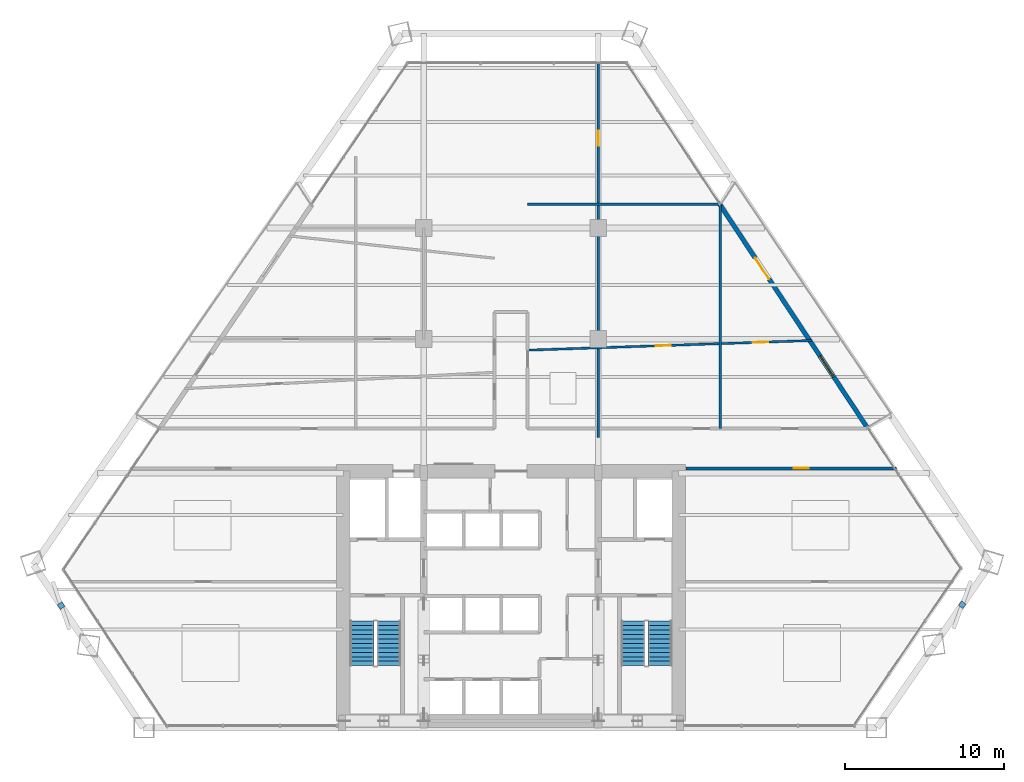
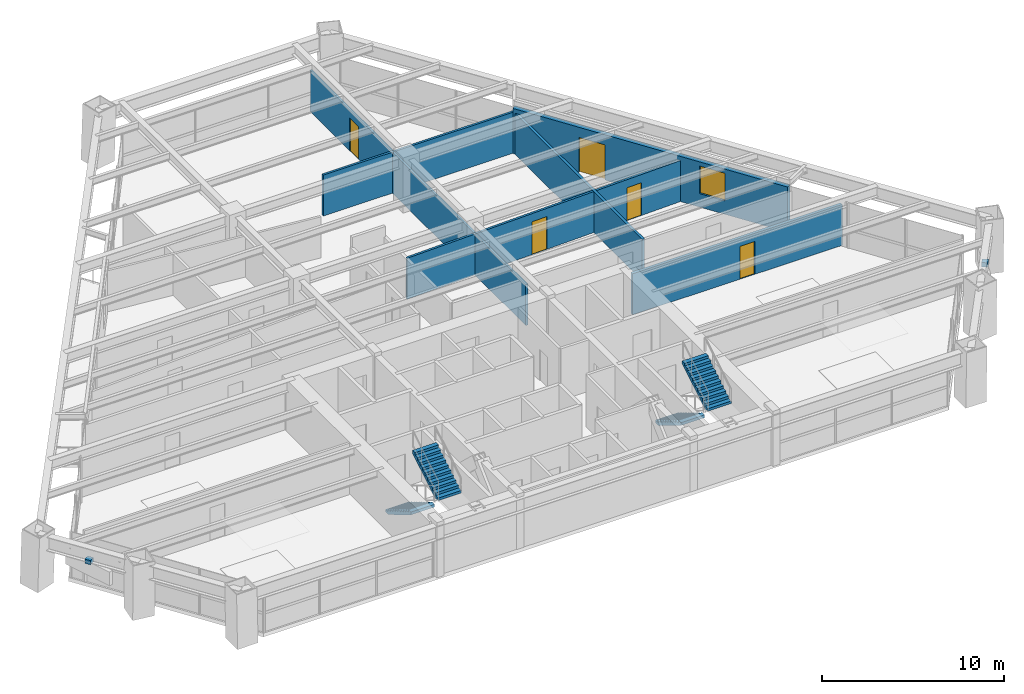
# One storey, part 12 of 14: 6 walls, 5 doors, 4 stair flights, 2 discrete accessories, 1 window, 6 openings, 2 elements without a shape of their own.
"""IFC4 building model written with IfcOpenShell, lengths in metres."""

from ifc_helpers import new_model, si_unit, direction, frame, frame_2d, origin, origin_2d, place, context, subcontext, project, spatial, polyline, rectangle, outline, extrude, source, transform, mapped, material, layer, layer_set, type_object, type_shapes, element, fill, aggregate, save


model = new_model("IFC4")

# Units and contexts
model_context = context("Model", 3, precision=1e-05, world=origin(), true_north=direction((0.0, 1.0)))
body_context = subcontext(model_context, "Body", "Model", "MODEL_VIEW")
ifc_project = project(units=[si_unit("LENGTHUNIT", "METRE"), si_unit("AREAUNIT", "SQUARE_METRE"), si_unit("VOLUMEUNIT", "CUBIC_METRE"), si_unit("PLANEANGLEUNIT", "RADIAN"), si_unit("MASSUNIT", "GRAM", prefix="KILO")], contexts=[model_context])

# Site, building, storey
site_placement = place(None, origin())
site = spatial("IfcSite", under=ifc_project, at=site_placement, CompositionType="ELEMENT")
building_placement = place(site_placement, origin())
building = spatial("IfcBuilding", under=site, at=building_placement, Name="Varnakhor Terracotta Tower", CompositionType="ELEMENT")
storey_placement = place(building_placement, frame((0.0, 0.0, 64.5)))
storey = spatial("IfcBuildingStorey", under=building, at=storey_placement, Name="L15", CompositionType="ELEMENT", Elevation=64.5)

# Wall, opening, door
ifc_material_1 = material(Name="Fire-Rated Gypsum Stud Partition", Category="gypsum")
ifc_layer_1 = layer(ifc_material_1, 0.18505859375, Name="Fire-Rated Gypsum Stud Partition")
ifc_layer_set_1 = layer_set([ifc_layer_1], Name="Fire-Rated Gypsum Stud Partition")
wall_type_1 = type_object("IfcWallType", Name="WAL-CORR-185", PredefinedType="PARTITIONING", material=ifc_layer_set_1)
wall_1_placement = place(storey_placement, frame((11.02001953125, 16.35009765625, 0.0), z_axis=(0.0, 0.0, 1.0), x_axis=(1.0, 0.0, 0.0)))
wall_1 = element("IfcWall", 1, at=wall_1_placement, inside=storey, type_object=wall_type_1, Name="L15 South East Corridor Wall", PredefinedType="PARTITIONING", context=body_context, shape_type="SweptSolid", body=[
    extrude(rectangle(XDim=13.294189453125, YDim=0.18505859375, at=frame_2d((6.64697265625, 0.0))), origin(), (0.0, 0.0, 1.0), 2.7470703125),
])
opening_1_placement = place(wall_1_placement, frame((6.802734375, 0.0, 0.0)))
opening_1 = element("IfcOpeningElement", 2, at=opening_1_placement, cuts=wall_1, Name="Opening DR-94", PredefinedType="OPENING", context=body_context, shape_type="SweptSolid", body=[
    extrude(rectangle(XDim=0.949951171875, YDim=2.199951171875, at=frame_2d((0.47509765625, 1.10009765625))), frame((0.0, 0.1025390625, 0.0), z_axis=(0.0, -1.0, 0.0), x_axis=(1.0, 0.0, 0.0)), (0.0, 0.0, 1.0), 0.205078125),
])
ifc_material_2 = material(Name="Acoustic Glazed-Vision Timber Office Door", Category="wood")
door_type_1 = type_object("IfcDoorType", Name="DR-OFF-950X2200", OperationType="NOTDEFINED", PredefinedType="DOOR", material=ifc_material_2)
shared_shape_1 = source(origin(), body_context, "Body", "SweptSolid", [
    extrude(rectangle(XDim=0.949951171875, YDim=2.199951171875, at=frame_2d((0.47509765625, 1.10009765625))), frame((0.0, 0.02490234375, 0.0), z_axis=(0.0, -1.0, 0.0), x_axis=(1.0, 0.0, 0.0)), (0.0, 0.0, 1.0), 0.050048828125),
])
type_shapes(door_type_1, [shared_shape_1])
door_1_placement = place(opening_1_placement, origin())
door_1 = element("IfcDoor", 3, at=door_1_placement, inside=storey, type_object=door_type_1, Name="L15 SE Suite Door", OperationType="SINGLE_SWING_LEFT", OverallHeight=2.199951171875, OverallWidth=0.949951171875, PredefinedType="DOOR", context=body_context, shape_type="MappedRepresentation", body=[
    mapped(shared_shape_1, transform((0.0, 0.0, 0.0), scale=1.0)),
])
fill(opening_1, door_1)

# Wall, openings, door, window
ifc_material_3 = material(Name="Extruded Architectural Terracotta Assembly", Category="masonry")
ifc_layer_2 = layer(ifc_material_3, 0.280029296875, Name="Extruded Architectural Terracotta Assembly")
ifc_layer_set_2 = layer_set([ifc_layer_2], Name="Extruded Architectural Terracotta Assembly")
wall_type_2 = type_object("IfcWallType", Name="WAL-EXT-TERRACOTTA-280", PredefinedType="SOLIDWALL", material=ifc_layer_set_2)
wall_2_placement = place(storey_placement, frame((13.161865234375, 32.98876953125, 0.0), z_axis=(0.0, 0.0, 1.0), x_axis=(0.551365400427, -0.834263864261, 0.0)))
wall_2 = element("IfcWall", 4, at=wall_2_placement, inside=storey, type_object=wall_type_2, Name="L15 E Loggia Insulated Terracotta Wall", PredefinedType="SOLIDWALL", context=body_context, shape_type="SweptSolid", body=[
    extrude(rectangle(XDim=16.866455078125, YDim=0.280029296875, at=frame_2d((8.43310546875, 0.0))), origin(), (0.0, 0.0, 1.0), 3.030029296875),
])
opening_2_placement = place(wall_2_placement, frame((4.0478515625, 0.0, 0.0)))
opening_2 = element("IfcOpeningElement", 5, at=opening_2_placement, cuts=wall_2, Name="Opening DR-62", PredefinedType="OPENING", context=body_context, shape_type="SweptSolid", body=[
    extrude(rectangle(XDim=1.60009765625, YDim=2.35009765625, at=frame_2d((0.800048828125, 1.175048828125))), frame((0.0, 0.14990234375, 0.0), z_axis=(0.0, -1.0, 0.0), x_axis=(1.0, 0.0, 0.0)), (0.0, 0.0, 1.0), 0.300048828125),
])
opening_3_placement = place(wall_2_placement, frame((11.46923828125, 0.0, 0.89990234375)))
opening_3 = element("IfcOpeningElement", 6, at=opening_3_placement, cuts=wall_2, Name="Opening WN-57", PredefinedType="OPENING", context=body_context, shape_type="SweptSolid", body=[
    extrude(rectangle(XDim=1.550048828125, YDim=1.85009765625, at=frame_2d((0.77490234375, 0.925048828125))), frame((0.0, 0.14990234375, 0.0), z_axis=(0.0, -1.0, 0.0), x_axis=(1.0, 0.0, 0.0)), (0.0, 0.0, 1.0), 0.300048828125),
])
ifc_material_4 = material(Name="Thermally Broken Sliding Glass Loggia Door", Category="glass")
door_type_2 = type_object("IfcDoorType", Name="DR-EXT-LOGGIA-1600X2350", OperationType="NOTDEFINED", PredefinedType="DOOR", material=ifc_material_4)
shared_shape_2 = source(origin(), body_context, "Body", "SweptSolid", [
    extrude(rectangle(XDim=1.60009765625, YDim=2.35009765625, at=frame_2d((0.800048828125, 1.175048828125))), frame((0.0, 0.02490234375, 0.0), z_axis=(0.0, -1.0, 0.0), x_axis=(1.0, 0.0, 0.0)), (0.0, 0.0, 1.0), 0.050048828125),
])
type_shapes(door_type_2, [shared_shape_2])
door_2_placement = place(opening_2_placement, origin())
door_2 = element("IfcDoor", 7, at=door_2_placement, inside=storey, type_object=door_type_2, Name="L15 E Recessed Loggia Sliding Door", OperationType="SLIDING_TO_RIGHT", OverallHeight=2.35009765625, OverallWidth=1.60009765625, PredefinedType="DOOR", context=body_context, shape_type="MappedRepresentation", body=[
    mapped(shared_shape_2, transform((0.0, 0.0, 0.0), scale=1.0)),
])
fill(opening_2, door_2)
ifc_material_5 = material(Name="Solar-Control Low-E Insulated Glass Unit", Category="glass")
window_type = type_object("IfcWindowType", Name="WIN-OFF-1650X2100", PartitioningType="SINGLE_PANEL", PredefinedType="WINDOW", material=ifc_material_5)
shared_shape_3 = source(origin(), body_context, "Body", "SweptSolid", [
    extrude(rectangle(XDim=1.550048828125, YDim=1.85009765625, at=frame_2d((0.77490234375, 0.925048828125))), frame((0.0, 0.030029296875, 0.0), z_axis=(0.0, -1.0, 0.0), x_axis=(1.0, 0.0, 0.0)), (0.0, 0.0, 1.0), 0.06005859375),
])
type_shapes(window_type, [shared_shape_3])
window_placement = place(opening_3_placement, origin())
window = element("IfcWindow", 8, at=window_placement, inside=storey, type_object=window_type, Name="L15 E Facet Punched Window", OverallHeight=1.85009765625, OverallWidth=1.550048828125, PartitioningType="SINGLE_PANEL", PredefinedType="WINDOW", context=body_context, shape_type="MappedRepresentation", body=[
    mapped(shared_shape_3, transform((0.0, 0.0, 0.0), scale=1.0)),
])
fill(opening_3, window)

# Wall, opening, door
ifc_material_6 = material(Name="Acoustic Metal-Stud Partition", Category="gypsum")
ifc_layer_3 = layer(ifc_material_6, 0.139892578125, Name="Acoustic Metal-Stud Partition")
ifc_layer_set_3 = layer_set([ifc_layer_3], Name="Acoustic Metal-Stud Partition")
wall_type_3 = type_object("IfcWallType", Name="WAL-PART-140", PredefinedType="PARTITIONING", material=ifc_layer_set_3)
wall_3_placement = place(storey_placement, frame((5.5, 18.300048828125, 0.0), z_axis=(0.0, 0.0, 1.0), x_axis=(0.0, 1.0, 0.0)))
wall_3 = element("IfcWall", 9, at=wall_3_placement, inside=storey, type_object=wall_type_3, Name="L15 East Full Column Wall", PredefinedType="PARTITIONING", context=body_context, shape_type="SweptSolid", body=[
    extrude(rectangle(XDim=23.710205078125, YDim=0.139892578125, at=frame_2d((11.85498046875, 0.0))), origin(), (0.0, 0.0, 1.0), 2.7470703125),
])
opening_4_placement = place(wall_3_placement, frame((18.385498046875, 0.0, 0.0)))
opening_4 = element("IfcOpeningElement", 10, at=opening_4_placement, cuts=wall_3, Name="Opening DR-94", PredefinedType="OPENING", context=body_context, shape_type="SweptSolid", body=[
    extrude(rectangle(XDim=0.949951171875, YDim=2.199951171875, at=frame_2d((0.47509765625, 1.10009765625))), frame((0.0, 0.080078125, 0.0), z_axis=(0.0, -1.0, 0.0), x_axis=(1.0, 0.0, 0.0)), (0.0, 0.0, 1.0), 0.159912109375),
])
door_3_placement = place(opening_4_placement, origin())
door_3 = element("IfcDoor", 11, at=door_3_placement, inside=storey, type_object=door_type_1, Name="L15 Tea Point Door", OperationType="SINGLE_SWING_LEFT", OverallHeight=2.199951171875, OverallWidth=0.949951171875, PredefinedType="DOOR", context=body_context, shape_type="MappedRepresentation", body=[
    mapped(shared_shape_1, transform((0.0, 0.0, 0.0), scale=1.0)),
])
fill(opening_4, door_3)

# Wall, openings, doors
wall_4_placement = place(storey_placement, frame((1.050048828125, 23.800048828125, 0.0), z_axis=(0.0, 0.0, 1.0), x_axis=(0.999422522818, 0.033979712843, 0.0)))
wall_4 = element("IfcWall", 12, at=wall_4_placement, inside=storey, type_object=wall_type_3, Name="L15 East Wing Cut 1", PredefinedType="PARTITIONING", context=body_context, shape_type="SweptSolid", body=[
    extrude(rectangle(XDim=17.94775390625, YDim=0.139892578125, at=frame_2d((8.973876953125, 0.0))), origin(), (0.0, 0.0, 1.0), 2.7470703125),
])
opening_5_placement = place(wall_4_placement, frame((8.08203125, 0.0, 0.0)))
opening_5 = element("IfcOpeningElement", 13, at=opening_5_placement, cuts=wall_4, Name="Opening DR-94", PredefinedType="OPENING", context=body_context, shape_type="SweptSolid", body=[
    extrude(rectangle(XDim=0.949951171875, YDim=2.199951171875, at=frame_2d((0.47509765625, 1.10009765625))), frame((0.0, 0.080078125, 0.0), z_axis=(0.0, -1.0, 0.0), x_axis=(1.0, 0.0, 0.0)), (0.0, 0.0, 1.0), 0.159912109375),
])
opening_6_placement = place(wall_4_placement, frame((14.21630859375, 0.0, 0.0)))
opening_6 = element("IfcOpeningElement", 14, at=opening_6_placement, cuts=wall_4, Name="Opening DR-94", PredefinedType="OPENING", context=body_context, shape_type="SweptSolid", body=[
    extrude(rectangle(XDim=0.949951171875, YDim=2.199951171875, at=frame_2d((0.47509765625, 1.10009765625))), frame((0.0, 0.080078125, 0.0), z_axis=(0.0, -1.0, 0.0), x_axis=(1.0, 0.0, 0.0)), (0.0, 0.0, 1.0), 0.159912109375),
])
door_4_placement = place(opening_5_placement, origin())
door_4 = element("IfcDoor", 15, at=door_4_placement, inside=storey, type_object=door_type_1, Name="L15 Interview Room B15 Door", OperationType="SINGLE_SWING_RIGHT", OverallHeight=2.199951171875, OverallWidth=0.949951171875, PredefinedType="DOOR", context=body_context, shape_type="MappedRepresentation", body=[
    mapped(shared_shape_1, transform((0.0, 0.0, 0.0), scale=1.0)),
])
fill(opening_5, door_4)
door_5_placement = place(opening_6_placement, origin())
door_5 = element("IfcDoor", 16, at=door_5_placement, inside=storey, type_object=door_type_1, Name="L15 Counsel Office E1 Door", OperationType="SINGLE_SWING_RIGHT", OverallHeight=2.199951171875, OverallWidth=0.949951171875, PredefinedType="DOOR", context=body_context, shape_type="MappedRepresentation", body=[
    mapped(shared_shape_1, transform((0.0, 0.0, 0.0), scale=1.0)),
])
fill(opening_6, door_5)

# Walls
wall_5_placement = place(storey_placement, frame((1.050048828125, 33.0, 0.0), z_axis=(0.0, 0.0, 1.0), x_axis=(1.0, 0.0, 0.0)))
element("IfcWall", 17, at=wall_5_placement, inside=storey, type_object=wall_type_3, Name="L15 East Wing Cut 2", PredefinedType="PARTITIONING", context=body_context, shape_type="SweptSolid", body=[
    extrude(rectangle(XDim=12.26025390625, YDim=0.139892578125, at=frame_2d((6.130126953125, 0.0))), origin(), (0.0, 0.0, 1.0), 2.7470703125),
])
ifc_material_7 = material(Name="Acoustic Fire-Rated Partition", Category="gypsum")
ifc_layer_4 = layer(ifc_material_7, 0.1650390625, Name="Acoustic Fire-Rated Partition")
ifc_layer_set_4 = layer_set([ifc_layer_4], Name="Acoustic Fire-Rated Partition")
wall_type_4 = type_object("IfcWallType", Name="WAL-TENANCY-165", PredefinedType="PARTITIONING", material=ifc_layer_set_4)
wall_6_placement = place(storey_placement, frame((13.199951171875, 18.85009765625, 0.0), z_axis=(0.0, 0.0, 1.0), x_axis=(0.0, 1.0, 0.0)))
element("IfcWall", 18, at=wall_6_placement, inside=storey, type_object=wall_type_4, Name="L15 East Cellular Line", PredefinedType="PARTITIONING", context=body_context, shape_type="SweptSolid", body=[
    extrude(rectangle(XDim=14.31689453125, YDim=0.1650390625, at=frame_2d((7.158447265625, 0.0))), origin(), (0.0, 0.0, 1.0), 2.7470703125),
])

# Stair, stair flights
ifc_material_8 = material(Name="Concrete C40/50", Category="concrete")
stair_type = type_object("IfcStairType", Name="STR-CORE-OFFICE-1500", PredefinedType="HALF_TURN_STAIR", material=ifc_material_8)
stair_1_placement = place(storey_placement, origin())
stair_1 = element("IfcStair", 19, at=stair_1_placement, inside=storey, type_object=stair_type, Name="L15 Core Exit Stair ST-1", PredefinedType="HALF_TURN_STAIR")
stair_flight_type = type_object("IfcStairFlightType", Name="FLT-CORE-1500", PredefinedType="STRAIGHT", material=ifc_material_8)
stair_flight_1_placement = place(storey_placement, frame((-9.39990234375, 6.7099609375, 0.0), z_axis=(0.0, 0.0, 1.0), x_axis=(0.0, -1.0, 0.0)))
stair_flight_1 = element("IfcStairFlight", 20, at=stair_flight_1_placement, type_object=stair_flight_type, Name="ST-1 flight 1", NumberOfRisers=11, NumberOfTreads=10, PredefinedType="STRAIGHT", RiserHeight=0.168181818, TreadLength=0.28, context=body_context, shape_type="SweptSolid", body=[
    extrude(outline(polyline([(0.0, 0.0), (0.0, 0.168212890625), (0.280029296875, 0.168212890625), (0.280029296875, 0.33642578125), (0.56005859375, 0.33642578125), (0.56005859375, 0.504638671875), (0.840087890625, 0.504638671875), (0.840087890625, 0.672607421875), (1.1201171875, 0.672607421875), (1.1201171875, 0.8408203125), (1.39990234375, 0.8408203125), (1.39990234375, 1.009033203125), (1.679931640625, 1.009033203125), (1.679931640625, 1.17724609375), (1.9599609375, 1.17724609375), (1.9599609375, 1.345458984375), (2.239990234375, 1.345458984375), (2.239990234375, 1.513671875), (2.52001953125, 1.513671875), (2.52001953125, 1.681884765625), (2.800048828125, 1.681884765625), (2.800048828125, 1.85009765625), (2.800048828125, 1.495361328125), (0.310546875, 0.0), (0.0, 0.0)])), frame((0.0, 0.75, 0.0), z_axis=(0.0, -1.0, 0.0), x_axis=(1.0, 0.0, 0.0)), (0.0, 0.0, 1.0), 1.5),
])
stair_flight_2_placement = place(storey_placement, frame((-7.699951171875, 3.909912109375, 1.85009765625), z_axis=(0.0, 0.0, 1.0), x_axis=(0.0, 1.0, 0.0)))
stair_flight_2 = element("IfcStairFlight", 21, at=stair_flight_2_placement, type_object=stair_flight_type, Name="ST-1 flight 2", NumberOfRisers=11, NumberOfTreads=10, PredefinedType="STRAIGHT", RiserHeight=0.168181818, TreadLength=0.28, context=body_context, shape_type="SweptSolid", body=[
    extrude(outline(polyline([(0.0, 0.0), (0.0, 0.168212890625), (0.280029296875, 0.168212890625), (0.280029296875, 0.33642578125), (0.56005859375, 0.33642578125), (0.56005859375, 0.504638671875), (0.840087890625, 0.504638671875), (0.840087890625, 0.672607421875), (1.1201171875, 0.672607421875), (1.1201171875, 0.8408203125), (1.39990234375, 0.8408203125), (1.39990234375, 1.009033203125), (1.679931640625, 1.009033203125), (1.679931640625, 1.17724609375), (1.9599609375, 1.17724609375), (1.9599609375, 1.345458984375), (2.239990234375, 1.345458984375), (2.239990234375, 1.513671875), (2.52001953125, 1.513671875), (2.52001953125, 1.681884765625), (2.800048828125, 1.681884765625), (2.800048828125, 1.85009765625), (2.800048828125, 1.495361328125), (0.310546875, 0.0), (0.0, 0.0)])), frame((0.0, 0.75, 0.0), z_axis=(0.0, -1.0, 0.0), x_axis=(1.0, 0.0, 0.0)), (0.0, 0.0, 1.0), 1.5),
])
aggregate(stair_1, [stair_flight_1, stair_flight_2])

stair_2_placement = place(storey_placement, origin())
stair_2 = element("IfcStair", 22, at=stair_2_placement, inside=storey, type_object=stair_type, Name="L15 Core Exit Stair ST-2", PredefinedType="HALF_TURN_STAIR")
stair_flight_3_placement = place(storey_placement, frame((7.699951171875, 6.7099609375, 0.0), z_axis=(0.0, 0.0, 1.0), x_axis=(0.0, -1.0, 0.0)))
stair_flight_3 = element("IfcStairFlight", 23, at=stair_flight_3_placement, type_object=stair_flight_type, Name="ST-2 flight 1", NumberOfRisers=11, NumberOfTreads=10, PredefinedType="STRAIGHT", RiserHeight=0.168181818, TreadLength=0.28, context=body_context, shape_type="SweptSolid", body=[
    extrude(outline(polyline([(0.0, 0.0), (0.0, 0.168212890625), (0.280029296875, 0.168212890625), (0.280029296875, 0.33642578125), (0.56005859375, 0.33642578125), (0.56005859375, 0.504638671875), (0.840087890625, 0.504638671875), (0.840087890625, 0.672607421875), (1.1201171875, 0.672607421875), (1.1201171875, 0.8408203125), (1.39990234375, 0.8408203125), (1.39990234375, 1.009033203125), (1.679931640625, 1.009033203125), (1.679931640625, 1.17724609375), (1.9599609375, 1.17724609375), (1.9599609375, 1.345458984375), (2.239990234375, 1.345458984375), (2.239990234375, 1.513671875), (2.52001953125, 1.513671875), (2.52001953125, 1.681884765625), (2.800048828125, 1.681884765625), (2.800048828125, 1.85009765625), (2.800048828125, 1.495361328125), (0.310546875, 0.0), (0.0, 0.0)])), frame((0.0, 0.75, 0.0), z_axis=(0.0, -1.0, 0.0), x_axis=(1.0, 0.0, 0.0)), (0.0, 0.0, 1.0), 1.5),
])
stair_flight_4_placement = place(storey_placement, frame((9.39990234375, 3.909912109375, 1.85009765625), z_axis=(0.0, 0.0, 1.0), x_axis=(0.0, 1.0, 0.0)))
stair_flight_4 = element("IfcStairFlight", 24, at=stair_flight_4_placement, type_object=stair_flight_type, Name="ST-2 flight 2", NumberOfRisers=11, NumberOfTreads=10, PredefinedType="STRAIGHT", RiserHeight=0.168181818, TreadLength=0.28, context=body_context, shape_type="SweptSolid", body=[
    extrude(outline(polyline([(0.0, 0.0), (0.0, 0.168212890625), (0.280029296875, 0.168212890625), (0.280029296875, 0.33642578125), (0.56005859375, 0.33642578125), (0.56005859375, 0.504638671875), (0.840087890625, 0.504638671875), (0.840087890625, 0.672607421875), (1.1201171875, 0.672607421875), (1.1201171875, 0.8408203125), (1.39990234375, 0.8408203125), (1.39990234375, 1.009033203125), (1.679931640625, 1.009033203125), (1.679931640625, 1.17724609375), (1.9599609375, 1.17724609375), (1.9599609375, 1.345458984375), (2.239990234375, 1.345458984375), (2.239990234375, 1.513671875), (2.52001953125, 1.513671875), (2.52001953125, 1.681884765625), (2.800048828125, 1.681884765625), (2.800048828125, 1.85009765625), (2.800048828125, 1.495361328125), (0.310546875, 0.0), (0.0, 0.0)])), frame((0.0, 0.75, 0.0), z_axis=(0.0, -1.0, 0.0), x_axis=(1.0, 0.0, 0.0)), (0.0, 0.0, 1.0), 1.5),
])
aggregate(stair_2, [stair_flight_3, stair_flight_4])

# Discrete accessories
ifc_material_9 = material(Name="Stainless Steel Fixing Bracket", Category="steel")
discrete_accessory_type = type_object("IfcDiscreteAccessoryType", Name="BRACKET-TERRACOTTA-SCREEN", PredefinedType="BRACKET", material=ifc_material_9)
shared_shape_4 = source(origin(), body_context, "Body", "SweptSolid", [
    extrude(rectangle(XDim=0.35009765625, YDim=0.35009765625, at=origin_2d()), origin(), (0.0, 0.0, 1.0), 0.280029296875),
])
type_shapes(discrete_accessory_type, [shared_shape_4])
for number, where, z_axis, x_axis, name in (
    (25, (28.44970703125, 7.748291015625, 2.39306640625), (0.0, 0.0, 1.0), (0.569365615032, 0.822084421711, 0.0), "L15 E Screen Fixing Bracket"),
    (26, (-28.3662109375, 7.691162109375, 2.39306640625), (0.0, 0.0, 1.0), (0.558541606482, -0.829476505893, 0.0), "L15 W Screen Fixing Bracket"),
):
    element("IfcDiscreteAccessory", number, at=place(storey_placement, frame(where, z_axis=z_axis, x_axis=x_axis)), inside=storey, type_object=discrete_accessory_type, Name=name, PredefinedType="BRACKET", context=body_context, shape_type="MappedRepresentation", body=[
        mapped(shared_shape_4, transform((0.0, 0.0, 0.0), scale=1.0)),
    ])

save(model, "model.ifc")
